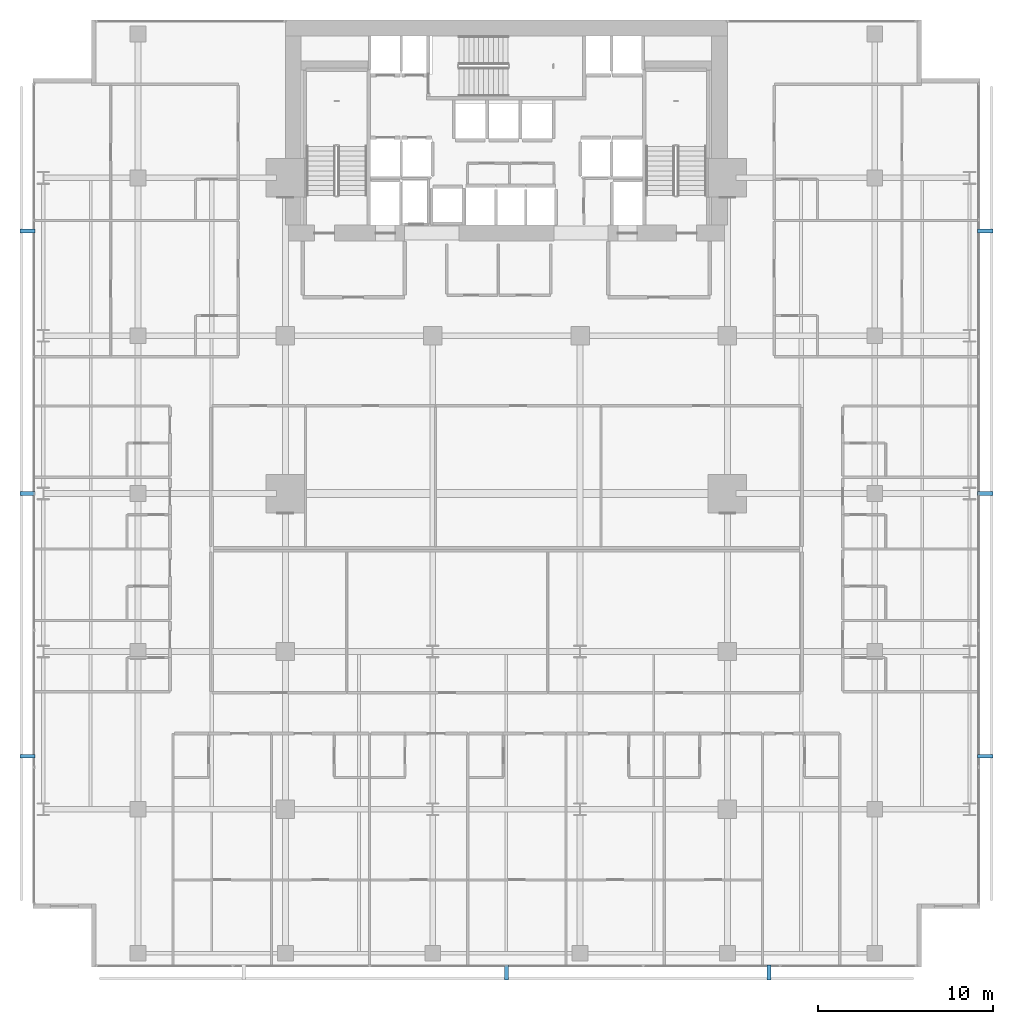
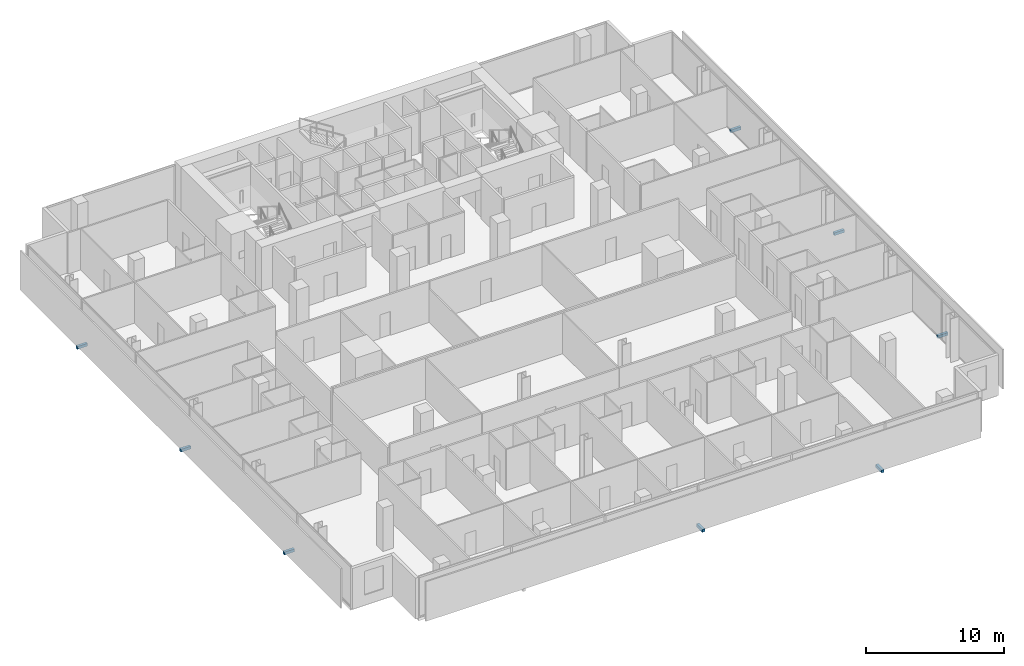
# One storey, part 39 of 41: 8 discrete accessories.
"""IFC4 building model written with IfcOpenShell, lengths in metres."""

from ifc_helpers import new_model, si_unit, direction, frame, origin, origin_2d, place, context, subcontext, project, spatial, rectangle, extrude, material, type_object, element, save


model = new_model("IFC4")

# Units and contexts
model_context = context("Model", 3, precision=1e-05, world=origin(), true_north=direction((0.0, 1.0)))
body_context = subcontext(model_context, "Body", "Model", "MODEL_VIEW")
ifc_project = project(units=[si_unit("LENGTHUNIT", "METRE"), si_unit("AREAUNIT", "SQUARE_METRE"), si_unit("VOLUMEUNIT", "CUBIC_METRE"), si_unit("PLANEANGLEUNIT", "RADIAN"), si_unit("MASSUNIT", "GRAM", prefix="KILO")], contexts=[model_context])

# Site, building, storey
site_placement = place(None, origin())
site = spatial("IfcSite", under=ifc_project, at=site_placement, CompositionType="ELEMENT")
building_placement = place(site_placement, origin())
building = spatial("IfcBuilding", under=site, at=building_placement, Name="Maruvema Waterfront Hotel and Observation Tower", CompositionType="ELEMENT")
storey_placement = place(building_placement, frame((0.0, 0.0, 61.60009765625)))
storey = spatial("IfcBuildingStorey", under=building, at=storey_placement, Name="L14", CompositionType="ELEMENT", Elevation=61.60009765625)

# Discrete accessories
ifc_material = material(Name="Duplex stainless steel Grade 2205", Category="steel")
discrete_accessory_type = type_object("IfcDiscreteAccessoryType", Name="Double-Skin Cavity Stainless Outrigger Bracket", PredefinedType="BRACKET", material=ifc_material)
for number, where, z_axis, x_axis, name in (
    (1, (37.800048828125, -0.300048828125, -0.14013671875), (0.0, 0.0, 1.0), (1.0, 0.0, 0.0), "L14 Outer Skin Support Bracket 2"),
    (2, (52.77587890625, -0.300048828125, -0.14013671875), (0.0, 0.0, 1.0), (1.0, 0.0, 0.0), "L14 Outer Skin Support Bracket 3"),
    (3, (65.10009765625, 12.02392578125, -0.14013671875), (0.0, 0.0, 1.0), (0.0, 1.0, 0.0), "L14 Outer Skin Support Bracket 1"),
    (4, (65.10009765625, 27.0, -0.14013671875), (0.0, 0.0, 1.0), (0.0, 1.0, 0.0), "L14 Outer Skin Support Bracket 2"),
    (5, (65.10009765625, 41.97607421875, -0.14013671875), (0.0, 0.0, 1.0), (0.0, 1.0, 0.0), "L14 Outer Skin Support Bracket 3"),
    (6, (10.5, 41.97607421875, -0.14013671875), (0.0, 0.0, 1.0), (0.0, -1.0, 0.0), "L14 Outer Skin Support Bracket 1"),
    (7, (10.5, 27.0, -0.14013671875), (0.0, 0.0, 1.0), (0.0, -1.0, 0.0), "L14 Outer Skin Support Bracket 2"),
    (8, (10.5, 12.02392578125, -0.14013671875), (0.0, 0.0, 1.0), (0.0, -1.0, 0.0), "L14 Outer Skin Support Bracket 3"),
):
    element("IfcDiscreteAccessory", number, at=place(storey_placement, frame(where, z_axis=z_axis, x_axis=x_axis)), inside=storey, type_object=discrete_accessory_type, Name=name, PredefinedType="BRACKET", context=body_context, shape_type="SweptSolid", body=[
        extrude(rectangle(XDim=0.219970703125, YDim=0.860107421875, at=origin_2d()), origin(), (0.0, 0.0, 1.0), 0.239990234375),
    ])

save(model, "model.ifc")
